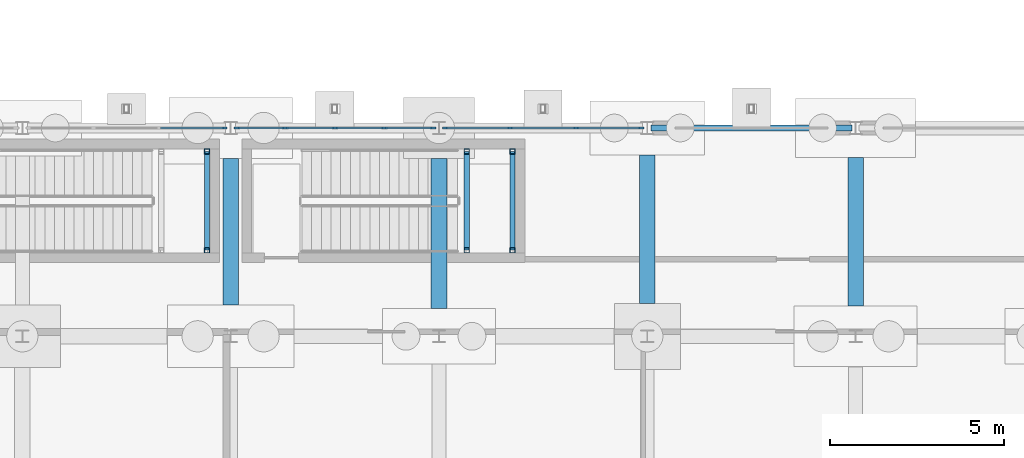
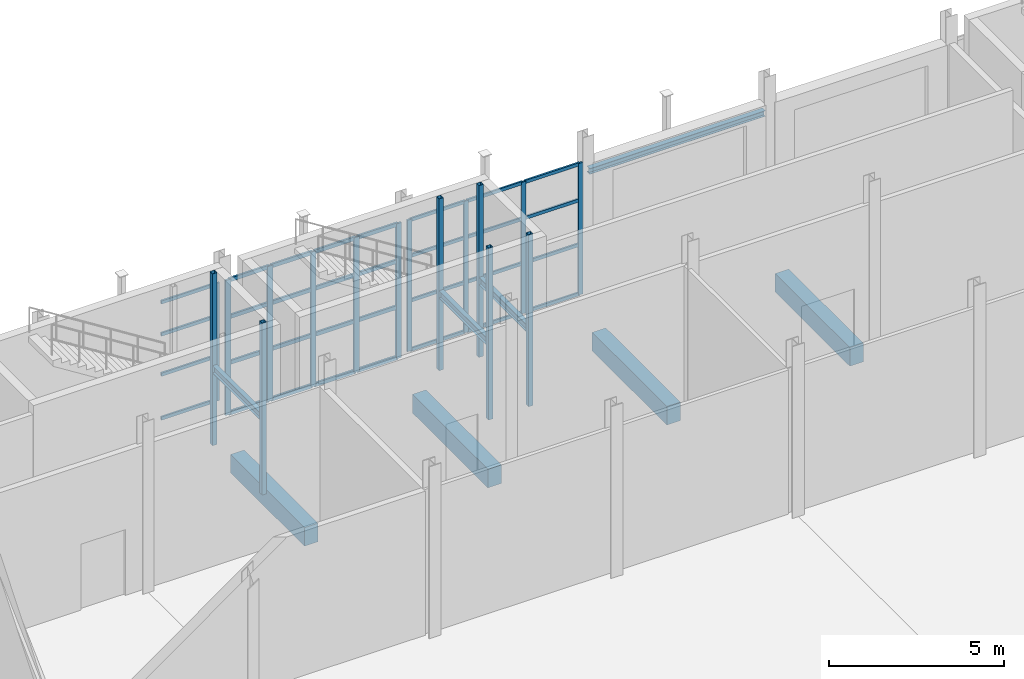
# One storey, part 47 of 120: 48 members, 8 beams, 3 elements without a shape of their own.
"""IFC4 building model written with IfcOpenShell, lengths in metres."""

from ifc_helpers import new_model, si_unit, direction, frame, origin, origin_2d, place, context, subcontext, project, spatial, rectangle, hollow_rectangle, i_section, extrude, material, material_profile, profile_set, type_object, element, aggregate, save


model = new_model("IFC4")

# Units and contexts
model_context = context("Model", 3, precision=1e-05, world=origin(), true_north=direction((0.0, 1.0)))
body_context = subcontext(model_context, "Body", "Model", "MODEL_VIEW")
ifc_project = project(units=[si_unit("LENGTHUNIT", "METRE"), si_unit("AREAUNIT", "SQUARE_METRE"), si_unit("VOLUMEUNIT", "CUBIC_METRE"), si_unit("PLANEANGLEUNIT", "RADIAN"), si_unit("MASSUNIT", "GRAM", prefix="KILO")], contexts=[model_context])

# Site, building, storey
site_placement = place(None, origin())
site = spatial("IfcSite", under=ifc_project, at=site_placement, CompositionType="ELEMENT")
building_placement = place(site_placement, origin())
building = spatial("IfcBuilding", under=site, at=building_placement, Name="Siltcreek Boulevard Central Fire Station", CompositionType="ELEMENT")
storey_placement = place(building_placement, origin())
storey = spatial("IfcBuildingStorey", under=building, at=storey_placement, Name="L01", CompositionType="ELEMENT", Elevation=0.0)

# Members
ifc_material_1 = material(Name="Structural steel ASTM A500 GrC", Category="steel")
ifc_material_profile_1 = material_profile(ifc_material_1, hollow_rectangle(XDim=0.14990234375, YDim=0.14990234375, WallThickness=0.008056640625, at=origin_2d()), Name="HSS150X150X8.0")
ifc_profile_set_1 = profile_set([ifc_material_profile_1], Name="Structural steel ASTM A500 GrC")
member_type_1 = type_object("IfcMemberType", Name="BR_HSS150_8", PredefinedType="BRACE", material=ifc_profile_set_1)
for number, where, z_axis, x_axis, name in (
    (1, (65.320068359375, 50.47998046875, 0.0), (0.0, 0.0, 1.0), (1.0, 0.0, 0.0), "L01 ST-V1B stair landing corner post SE"),
    (2, (65.320068359375, 53.320068359375, 0.0), (0.0, 0.0, 1.0), (1.0, 0.0, 0.0), "L01 ST-V1B stair landing corner post NE"),
    (3, (72.800048828125, 50.47998046875, 0.0), (0.0, 0.0, 1.0), (1.0, 0.0, 0.0), "L01 ST-V2C stair landing corner post SW"),
    (4, (72.800048828125, 53.320068359375, 0.0), (0.0, 0.0, 1.0), (1.0, 0.0, 0.0), "L01 ST-V2C stair landing corner post NW"),
    (5, (74.1201171875, 50.47998046875, 0.0), (0.0, 0.0, 1.0), (1.0, 0.0, 0.0), "L01 ST-V2C stair landing corner post SE"),
    (6, (74.1201171875, 53.320068359375, 0.0), (0.0, 0.0, 1.0), (1.0, 0.0, 0.0), "L01 ST-V2C stair landing corner post NE"),
):
    element("IfcMember", number, at=place(storey_placement, frame(where, z_axis=z_axis, x_axis=x_axis)), inside=storey, type_object=member_type_1, Name=name, PredefinedType="BRACE", context=body_context, shape_type="SweptSolid", body=[
        extrude(hollow_rectangle(XDim=0.14990234375, YDim=0.14990234375, WallThickness=0.008056640625, at=origin_2d()), origin(), (0.0, 0.0, 1.0), 6.0),
    ])

# Curtain wall, member
ifc_material_2 = material(Name="Anodized aluminum and low-E insulated glazing", Category="aluminium")
curtain_wall_type_1 = type_object("IfcCurtainWallType", Name="CW_SYS_06", PredefinedType="USERDEFINED", material=ifc_material_2)
curtain_wall_1_placement = place(storey_placement, origin())
curtain_wall_1 = element("IfcCurtainWall", 7, at=curtain_wall_1_placement, inside=storey, type_object=curtain_wall_type_1, Name="L01 V1 unitised curtain wall CW-005", ObjectType="CURTAIN WALL", PredefinedType="USERDEFINED")
ifc_material_3 = material(Name="Anodized 6063-T6 aluminum framing", Category="aluminium")
ifc_material_profile_2 = material_profile(ifc_material_3, rectangle(XDim=0.06005859375, YDim=0.14990234375, at=origin_2d()), Name="MULL60X150")
ifc_profile_set_2 = profile_set([ifc_material_profile_2], Name="Anodized 6063-T6 aluminum framing")
member_type_2 = type_object("IfcMemberType", Name="CWM_60X150", PredefinedType="MULLION", material=ifc_profile_set_2)
member_1_placement = place(storey_placement, frame((65.824951171875, 54.0, 0.919921875), z_axis=(0.0, 0.0, 1.0), x_axis=(0.0, -1.0, 0.0)))
member_1 = element("IfcMember", 8, at=member_1_placement, type_object=member_type_2, Name="CW-005 mullion 1", PredefinedType="MULLION", context=body_context, shape_type="SweptSolid", body=[
    extrude(rectangle(XDim=0.06005859375, YDim=0.14990234375, at=origin_2d()), origin(), (0.0, 0.0, 1.0), 4.114990234375),
])

# Curtain wall, members
curtain_wall_type_2 = type_object("IfcCurtainWallType", Name="CW_SYS_08", PredefinedType="USERDEFINED", material=ifc_material_2)
curtain_wall_2_placement = place(storey_placement, origin())
curtain_wall_2 = element("IfcCurtainWall", 9, at=curtain_wall_2_placement, inside=storey, type_object=curtain_wall_type_2, Name="L01 V1 unitised curtain wall CW-007", ObjectType="CURTAIN WALL", PredefinedType="USERDEFINED")
member_2_placement = place(storey_placement, frame((77.824951171875, 54.0, 0.43994140625), z_axis=(0.0, 0.0, 1.0), x_axis=(0.0, -1.0, 0.0)))
member_2 = element("IfcMember", 10, at=member_2_placement, type_object=member_type_2, Name="CW-007 mullion 1", PredefinedType="MULLION", context=body_context, shape_type="SweptSolid", body=[
    extrude(rectangle(XDim=0.06005859375, YDim=0.14990234375, at=origin_2d()), origin(), (0.0, 0.0, 1.0), 4.594970703125),
])
member_3_placement = place(storey_placement, frame((75.95166015625, 54.0, 0.43994140625), z_axis=(0.0, 0.0, 1.0), x_axis=(0.0, -1.0, 0.0)))
member_3 = element("IfcMember", 11, at=member_3_placement, type_object=member_type_2, Name="CW-007 mullion 2", PredefinedType="MULLION", context=body_context, shape_type="SweptSolid", body=[
    extrude(rectangle(XDim=0.06005859375, YDim=0.14990234375, at=origin_2d()), origin(), (0.0, 0.0, 1.0), 4.594970703125),
])
member_4_placement = place(storey_placement, frame((74.04833984375, 54.0, 0.43994140625), z_axis=(0.0, 0.0, 1.0), x_axis=(0.0, -1.0, 0.0)))
member_4 = element("IfcMember", 12, at=member_4_placement, type_object=member_type_2, Name="CW-007 mullion 3", PredefinedType="MULLION", context=body_context, shape_type="SweptSolid", body=[
    extrude(rectangle(XDim=0.06005859375, YDim=0.14990234375, at=origin_2d()), origin(), (0.0, 0.0, 1.0), 4.594970703125),
])
member_5_placement = place(storey_placement, frame((72.175048828125, 54.0, 0.43994140625), z_axis=(0.0, 0.0, 1.0), x_axis=(0.0, -1.0, 0.0)))
member_5 = element("IfcMember", 13, at=member_5_placement, type_object=member_type_2, Name="CW-007 mullion 4", PredefinedType="MULLION", context=body_context, shape_type="SweptSolid", body=[
    extrude(rectangle(XDim=0.06005859375, YDim=0.14990234375, at=origin_2d()), origin(), (0.0, 0.0, 1.0), 4.594970703125),
])

curtain_wall_type_3 = type_object("IfcCurtainWallType", Name="CW_SYS_07", PredefinedType="USERDEFINED", material=ifc_material_2)
curtain_wall_3_placement = place(storey_placement, origin())
curtain_wall_3 = element("IfcCurtainWall", 14, at=curtain_wall_3_placement, inside=storey, type_object=curtain_wall_type_3, Name="L01 V1 unitised curtain wall CW-006", ObjectType="CURTAIN WALL", PredefinedType="USERDEFINED")
ifc_material_profile_3 = material_profile(ifc_material_3, rectangle(XDim=0.06494140625, YDim=0.175048828125, at=origin_2d()), Name="MULL65X175")
ifc_profile_set_3 = profile_set([ifc_material_profile_3], Name="Anodized 6063-T6 aluminum framing")
member_type_3 = type_object("IfcMemberType", Name="CWM_65X175", PredefinedType="MULLION", material=ifc_profile_set_3)
member_6_placement = place(storey_placement, frame((71.822509765625, 54.0, 0.320068359375), z_axis=(0.0, 0.0, 1.0), x_axis=(0.0, -1.0, 0.0)))
member_6 = element("IfcMember", 15, at=member_6_placement, type_object=member_type_3, Name="CW-006 mullion 1", PredefinedType="MULLION", context=body_context, shape_type="SweptSolid", body=[
    extrude(rectangle(XDim=0.06494140625, YDim=0.175048828125, at=origin_2d()), origin(), (0.0, 0.0, 1.0), 4.71484375),
])
member_7_placement = place(storey_placement, frame((70.427490234375, 54.0, 0.320068359375), z_axis=(0.0, 0.0, 1.0), x_axis=(0.0, -1.0, 0.0)))
member_7 = element("IfcMember", 16, at=member_7_placement, type_object=member_type_3, Name="CW-006 mullion 2", PredefinedType="MULLION", context=body_context, shape_type="SweptSolid", body=[
    extrude(rectangle(XDim=0.06494140625, YDim=0.175048828125, at=origin_2d()), origin(), (0.0, 0.0, 1.0), 4.71484375),
])
member_8_placement = place(storey_placement, frame((69.0, 54.0, 0.320068359375), z_axis=(0.0, 0.0, 1.0), x_axis=(0.0, -1.0, 0.0)))
member_8 = element("IfcMember", 17, at=member_8_placement, type_object=member_type_3, Name="CW-006 mullion 3", PredefinedType="MULLION", context=body_context, shape_type="SweptSolid", body=[
    extrude(rectangle(XDim=0.06494140625, YDim=0.175048828125, at=origin_2d()), origin(), (0.0, 0.0, 1.0), 4.71484375),
])
member_9_placement = place(storey_placement, frame((67.572509765625, 54.0, 0.320068359375), z_axis=(0.0, 0.0, 1.0), x_axis=(0.0, -1.0, 0.0)))
member_9 = element("IfcMember", 18, at=member_9_placement, type_object=member_type_3, Name="CW-006 mullion 4", PredefinedType="MULLION", context=body_context, shape_type="SweptSolid", body=[
    extrude(rectangle(XDim=0.06494140625, YDim=0.175048828125, at=origin_2d()), origin(), (0.0, 0.0, 1.0), 4.71484375),
])
member_10_placement = place(storey_placement, frame((66.177490234375, 54.0, 0.320068359375), z_axis=(0.0, 0.0, 1.0), x_axis=(0.0, -1.0, 0.0)))
member_10 = element("IfcMember", 19, at=member_10_placement, type_object=member_type_3, Name="CW-006 mullion 5", PredefinedType="MULLION", context=body_context, shape_type="SweptSolid", body=[
    extrude(rectangle(XDim=0.06494140625, YDim=0.175048828125, at=origin_2d()), origin(), (0.0, 0.0, 1.0), 4.71484375),
])

# Member
ifc_material_profile_4 = material_profile(ifc_material_3, rectangle(XDim=0.06005859375, YDim=0.114990234375, at=origin_2d()), Name="TRAN60X115")
ifc_profile_set_4 = profile_set([ifc_material_profile_4], Name="Anodized 6063-T6 aluminum framing")
member_type_4 = type_object("IfcMemberType", Name="CWT_60X115", PredefinedType="USERDEFINED", material=ifc_profile_set_4)
member_11_placement = place(storey_placement, frame((65.794921875, 54.0, 0.949951171875), z_axis=(-1.0, 0.0, 0.0), x_axis=(0.0, -1.0, 0.0)))
member_11 = element("IfcMember", 20, at=member_11_placement, type_object=member_type_4, Name="CW-005 transom 1.1", ObjectType="TRANSOM", PredefinedType="USERDEFINED", context=body_context, shape_type="SweptSolid", body=[
    extrude(rectangle(XDim=0.06005859375, YDim=0.114990234375, at=origin_2d()), origin(), (0.0, 0.0, 1.0), 1.813232421875),
])

member_12_placement = place(storey_placement, frame((65.794921875, 54.0, 2.483642578125), z_axis=(-1.0, 0.0, 0.0), x_axis=(0.0, -1.0, 0.0)))
member_12 = element("IfcMember", 21, at=member_12_placement, type_object=member_type_4, Name="CW-005 transom 1.2", ObjectType="TRANSOM", PredefinedType="USERDEFINED", context=body_context, shape_type="SweptSolid", body=[
    extrude(rectangle(XDim=0.06005859375, YDim=0.114990234375, at=origin_2d()), origin(), (0.0, 0.0, 1.0), 1.813232421875),
])

member_13_placement = place(storey_placement, frame((65.794921875, 54.0, 3.8828125), z_axis=(-1.0, 0.0, 0.0), x_axis=(0.0, -1.0, 0.0)))
member_13 = element("IfcMember", 22, at=member_13_placement, type_object=member_type_4, Name="CW-005 transom 1.3", ObjectType="TRANSOM", PredefinedType="USERDEFINED", context=body_context, shape_type="SweptSolid", body=[
    extrude(rectangle(XDim=0.06005859375, YDim=0.114990234375, at=origin_2d()), origin(), (0.0, 0.0, 1.0), 1.813232421875),
])

member_14_placement = place(storey_placement, frame((65.794921875, 54.0, 5.0048828125), z_axis=(-1.0, 0.0, 0.0), x_axis=(0.0, -1.0, 0.0)))
member_14 = element("IfcMember", 23, at=member_14_placement, type_object=member_type_4, Name="CW-005 transom 1.4", ObjectType="TRANSOM", PredefinedType="USERDEFINED", context=body_context, shape_type="SweptSolid", body=[
    extrude(rectangle(XDim=0.06005859375, YDim=0.114990234375, at=origin_2d()), origin(), (0.0, 0.0, 1.0), 1.813232421875),
])

aggregate(curtain_wall_1, [member_1, member_11, member_12, member_13, member_14])

member_15_placement = place(storey_placement, frame((77.794921875, 54.0, 0.469970703125), z_axis=(-1.0, 0.0, 0.0), x_axis=(0.0, -1.0, 0.0)))
member_15 = element("IfcMember", 24, at=member_15_placement, type_object=member_type_4, Name="CW-007 transom 1.1", ObjectType="TRANSOM", PredefinedType="USERDEFINED", context=body_context, shape_type="SweptSolid", body=[
    extrude(rectangle(XDim=0.06005859375, YDim=0.114990234375, at=origin_2d()), origin(), (0.0, 0.0, 1.0), 1.813232421875),
])

member_16_placement = place(storey_placement, frame((77.794921875, 54.0, 2.18603515625), z_axis=(-1.0, 0.0, 0.0), x_axis=(0.0, -1.0, 0.0)))
member_16 = element("IfcMember", 25, at=member_16_placement, type_object=member_type_4, Name="CW-007 transom 1.2", ObjectType="TRANSOM", PredefinedType="USERDEFINED", context=body_context, shape_type="SweptSolid", body=[
    extrude(rectangle(XDim=0.06005859375, YDim=0.114990234375, at=origin_2d()), origin(), (0.0, 0.0, 1.0), 1.813232421875),
])

member_17_placement = place(storey_placement, frame((77.794921875, 54.0, 3.748291015625), z_axis=(-1.0, 0.0, 0.0), x_axis=(0.0, -1.0, 0.0)))
member_17 = element("IfcMember", 26, at=member_17_placement, type_object=member_type_4, Name="CW-007 transom 1.3", ObjectType="TRANSOM", PredefinedType="USERDEFINED", context=body_context, shape_type="SweptSolid", body=[
    extrude(rectangle(XDim=0.06005859375, YDim=0.114990234375, at=origin_2d()), origin(), (0.0, 0.0, 1.0), 1.813232421875),
])

member_18_placement = place(storey_placement, frame((77.794921875, 54.0, 5.0048828125), z_axis=(-1.0, 0.0, 0.0), x_axis=(0.0, -1.0, 0.0)))
member_18 = element("IfcMember", 27, at=member_18_placement, type_object=member_type_4, Name="CW-007 transom 1.4", ObjectType="TRANSOM", PredefinedType="USERDEFINED", context=body_context, shape_type="SweptSolid", body=[
    extrude(rectangle(XDim=0.06005859375, YDim=0.114990234375, at=origin_2d()), origin(), (0.0, 0.0, 1.0), 1.813232421875),
])

member_19_placement = place(storey_placement, frame((75.921630859375, 54.0, 0.469970703125), z_axis=(-1.0, 0.0, 0.0), x_axis=(0.0, -1.0, 0.0)))
member_19 = element("IfcMember", 28, at=member_19_placement, type_object=member_type_4, Name="CW-007 transom 2.1", ObjectType="TRANSOM", PredefinedType="USERDEFINED", context=body_context, shape_type="SweptSolid", body=[
    extrude(rectangle(XDim=0.06005859375, YDim=0.114990234375, at=origin_2d()), origin(), (0.0, 0.0, 1.0), 1.84326171875),
])

member_20_placement = place(storey_placement, frame((75.921630859375, 54.0, 2.18603515625), z_axis=(-1.0, 0.0, 0.0), x_axis=(0.0, -1.0, 0.0)))
member_20 = element("IfcMember", 29, at=member_20_placement, type_object=member_type_4, Name="CW-007 transom 2.2", ObjectType="TRANSOM", PredefinedType="USERDEFINED", context=body_context, shape_type="SweptSolid", body=[
    extrude(rectangle(XDim=0.06005859375, YDim=0.114990234375, at=origin_2d()), origin(), (0.0, 0.0, 1.0), 1.84326171875),
])

member_21_placement = place(storey_placement, frame((75.921630859375, 54.0, 3.748291015625), z_axis=(-1.0, 0.0, 0.0), x_axis=(0.0, -1.0, 0.0)))
member_21 = element("IfcMember", 30, at=member_21_placement, type_object=member_type_4, Name="CW-007 transom 2.3", ObjectType="TRANSOM", PredefinedType="USERDEFINED", context=body_context, shape_type="SweptSolid", body=[
    extrude(rectangle(XDim=0.06005859375, YDim=0.114990234375, at=origin_2d()), origin(), (0.0, 0.0, 1.0), 1.84326171875),
])

member_22_placement = place(storey_placement, frame((75.921630859375, 54.0, 5.0048828125), z_axis=(-1.0, 0.0, 0.0), x_axis=(0.0, -1.0, 0.0)))
member_22 = element("IfcMember", 31, at=member_22_placement, type_object=member_type_4, Name="CW-007 transom 2.4", ObjectType="TRANSOM", PredefinedType="USERDEFINED", context=body_context, shape_type="SweptSolid", body=[
    extrude(rectangle(XDim=0.06005859375, YDim=0.114990234375, at=origin_2d()), origin(), (0.0, 0.0, 1.0), 1.84326171875),
])

member_23_placement = place(storey_placement, frame((74.018310546875, 54.0, 0.469970703125), z_axis=(-1.0, 0.0, 0.0), x_axis=(0.0, -1.0, 0.0)))
member_23 = element("IfcMember", 32, at=member_23_placement, type_object=member_type_4, Name="CW-007 transom 3.1", ObjectType="TRANSOM", PredefinedType="USERDEFINED", context=body_context, shape_type="SweptSolid", body=[
    extrude(rectangle(XDim=0.06005859375, YDim=0.114990234375, at=origin_2d()), origin(), (0.0, 0.0, 1.0), 1.813232421875),
])

member_24_placement = place(storey_placement, frame((74.018310546875, 54.0, 2.18603515625), z_axis=(-1.0, 0.0, 0.0), x_axis=(0.0, -1.0, 0.0)))
member_24 = element("IfcMember", 33, at=member_24_placement, type_object=member_type_4, Name="CW-007 transom 3.2", ObjectType="TRANSOM", PredefinedType="USERDEFINED", context=body_context, shape_type="SweptSolid", body=[
    extrude(rectangle(XDim=0.06005859375, YDim=0.114990234375, at=origin_2d()), origin(), (0.0, 0.0, 1.0), 1.813232421875),
])

member_25_placement = place(storey_placement, frame((74.018310546875, 54.0, 3.748291015625), z_axis=(-1.0, 0.0, 0.0), x_axis=(0.0, -1.0, 0.0)))
member_25 = element("IfcMember", 34, at=member_25_placement, type_object=member_type_4, Name="CW-007 transom 3.3", ObjectType="TRANSOM", PredefinedType="USERDEFINED", context=body_context, shape_type="SweptSolid", body=[
    extrude(rectangle(XDim=0.06005859375, YDim=0.114990234375, at=origin_2d()), origin(), (0.0, 0.0, 1.0), 1.813232421875),
])

member_26_placement = place(storey_placement, frame((74.018310546875, 54.0, 5.0048828125), z_axis=(-1.0, 0.0, 0.0), x_axis=(0.0, -1.0, 0.0)))
member_26 = element("IfcMember", 35, at=member_26_placement, type_object=member_type_4, Name="CW-007 transom 3.4", ObjectType="TRANSOM", PredefinedType="USERDEFINED", context=body_context, shape_type="SweptSolid", body=[
    extrude(rectangle(XDim=0.06005859375, YDim=0.114990234375, at=origin_2d()), origin(), (0.0, 0.0, 1.0), 1.813232421875),
])

aggregate(curtain_wall_2, [member_2, member_3, member_4, member_5, member_15, member_16, member_17, member_18, member_19, member_20, member_21, member_22, member_23, member_24, member_25, member_26])

ifc_material_profile_5 = material_profile(ifc_material_3, rectangle(XDim=0.06494140625, YDim=0.135009765625, at=origin_2d()), Name="TRAN65X135")
ifc_profile_set_5 = profile_set([ifc_material_profile_5], Name="Anodized 6063-T6 aluminum framing")
member_type_5 = type_object("IfcMemberType", Name="CWT_65X135", PredefinedType="USERDEFINED", material=ifc_profile_set_5)
member_27_placement = place(storey_placement, frame((71.7900390625, 54.0, 0.3525390625), z_axis=(-1.0, 0.0, 0.0), x_axis=(0.0, -1.0, 0.0)))
member_27 = element("IfcMember", 36, at=member_27_placement, type_object=member_type_5, Name="CW-006 transom 1.1", ObjectType="TRANSOM", PredefinedType="USERDEFINED", context=body_context, shape_type="SweptSolid", body=[
    extrude(rectangle(XDim=0.06494140625, YDim=0.135009765625, at=origin_2d()), origin(), (0.0, 0.0, 1.0), 1.330078125),
])

member_28_placement = place(storey_placement, frame((71.7900390625, 54.0, 2.11181640625), z_axis=(-1.0, 0.0, 0.0), x_axis=(0.0, -1.0, 0.0)))
member_28 = element("IfcMember", 37, at=member_28_placement, type_object=member_type_5, Name="CW-006 transom 1.2", ObjectType="TRANSOM", PredefinedType="USERDEFINED", context=body_context, shape_type="SweptSolid", body=[
    extrude(rectangle(XDim=0.06494140625, YDim=0.135009765625, at=origin_2d()), origin(), (0.0, 0.0, 1.0), 1.330078125),
])

member_29_placement = place(storey_placement, frame((71.7900390625, 54.0, 3.71484375), z_axis=(-1.0, 0.0, 0.0), x_axis=(0.0, -1.0, 0.0)))
member_29 = element("IfcMember", 38, at=member_29_placement, type_object=member_type_5, Name="CW-006 transom 1.3", ObjectType="TRANSOM", PredefinedType="USERDEFINED", context=body_context, shape_type="SweptSolid", body=[
    extrude(rectangle(XDim=0.06494140625, YDim=0.135009765625, at=origin_2d()), origin(), (0.0, 0.0, 1.0), 1.330078125),
])

member_30_placement = place(storey_placement, frame((71.7900390625, 54.0, 5.00244140625), z_axis=(-1.0, 0.0, 0.0), x_axis=(0.0, -1.0, 0.0)))
member_30 = element("IfcMember", 39, at=member_30_placement, type_object=member_type_5, Name="CW-006 transom 1.4", ObjectType="TRANSOM", PredefinedType="USERDEFINED", context=body_context, shape_type="SweptSolid", body=[
    extrude(rectangle(XDim=0.06494140625, YDim=0.135009765625, at=origin_2d()), origin(), (0.0, 0.0, 1.0), 1.330078125),
])

member_31_placement = place(storey_placement, frame((70.39501953125, 54.0, 0.3525390625), z_axis=(-1.0, 0.0, 0.0), x_axis=(0.0, -1.0, 0.0)))
member_31 = element("IfcMember", 40, at=member_31_placement, type_object=member_type_5, Name="CW-006 transom 2.1", ObjectType="TRANSOM", PredefinedType="USERDEFINED", context=body_context, shape_type="SweptSolid", body=[
    extrude(rectangle(XDim=0.06494140625, YDim=0.135009765625, at=origin_2d()), origin(), (0.0, 0.0, 1.0), 1.362548828125),
])

member_32_placement = place(storey_placement, frame((70.39501953125, 54.0, 2.11181640625), z_axis=(-1.0, 0.0, 0.0), x_axis=(0.0, -1.0, 0.0)))
member_32 = element("IfcMember", 41, at=member_32_placement, type_object=member_type_5, Name="CW-006 transom 2.2", ObjectType="TRANSOM", PredefinedType="USERDEFINED", context=body_context, shape_type="SweptSolid", body=[
    extrude(rectangle(XDim=0.06494140625, YDim=0.135009765625, at=origin_2d()), origin(), (0.0, 0.0, 1.0), 1.362548828125),
])

member_33_placement = place(storey_placement, frame((70.39501953125, 54.0, 3.71484375), z_axis=(-1.0, 0.0, 0.0), x_axis=(0.0, -1.0, 0.0)))
member_33 = element("IfcMember", 42, at=member_33_placement, type_object=member_type_5, Name="CW-006 transom 2.3", ObjectType="TRANSOM", PredefinedType="USERDEFINED", context=body_context, shape_type="SweptSolid", body=[
    extrude(rectangle(XDim=0.06494140625, YDim=0.135009765625, at=origin_2d()), origin(), (0.0, 0.0, 1.0), 1.362548828125),
])

member_34_placement = place(storey_placement, frame((70.39501953125, 54.0, 5.00244140625), z_axis=(-1.0, 0.0, 0.0), x_axis=(0.0, -1.0, 0.0)))
member_34 = element("IfcMember", 43, at=member_34_placement, type_object=member_type_5, Name="CW-006 transom 2.4", ObjectType="TRANSOM", PredefinedType="USERDEFINED", context=body_context, shape_type="SweptSolid", body=[
    extrude(rectangle(XDim=0.06494140625, YDim=0.135009765625, at=origin_2d()), origin(), (0.0, 0.0, 1.0), 1.362548828125),
])

member_35_placement = place(storey_placement, frame((68.967529296875, 54.0, 0.3525390625), z_axis=(-1.0, 0.0, 0.0), x_axis=(0.0, -1.0, 0.0)))
member_35 = element("IfcMember", 44, at=member_35_placement, type_object=member_type_5, Name="CW-006 transom 3.1", ObjectType="TRANSOM", PredefinedType="USERDEFINED", context=body_context, shape_type="SweptSolid", body=[
    extrude(rectangle(XDim=0.06494140625, YDim=0.135009765625, at=origin_2d()), origin(), (0.0, 0.0, 1.0), 1.362548828125),
])

member_36_placement = place(storey_placement, frame((68.967529296875, 54.0, 2.11181640625), z_axis=(-1.0, 0.0, 0.0), x_axis=(0.0, -1.0, 0.0)))
member_36 = element("IfcMember", 45, at=member_36_placement, type_object=member_type_5, Name="CW-006 transom 3.2", ObjectType="TRANSOM", PredefinedType="USERDEFINED", context=body_context, shape_type="SweptSolid", body=[
    extrude(rectangle(XDim=0.06494140625, YDim=0.135009765625, at=origin_2d()), origin(), (0.0, 0.0, 1.0), 1.362548828125),
])

member_37_placement = place(storey_placement, frame((68.967529296875, 54.0, 3.71484375), z_axis=(-1.0, 0.0, 0.0), x_axis=(0.0, -1.0, 0.0)))
member_37 = element("IfcMember", 46, at=member_37_placement, type_object=member_type_5, Name="CW-006 transom 3.3", ObjectType="TRANSOM", PredefinedType="USERDEFINED", context=body_context, shape_type="SweptSolid", body=[
    extrude(rectangle(XDim=0.06494140625, YDim=0.135009765625, at=origin_2d()), origin(), (0.0, 0.0, 1.0), 1.362548828125),
])

member_38_placement = place(storey_placement, frame((68.967529296875, 54.0, 5.00244140625), z_axis=(-1.0, 0.0, 0.0), x_axis=(0.0, -1.0, 0.0)))
member_38 = element("IfcMember", 47, at=member_38_placement, type_object=member_type_5, Name="CW-006 transom 3.4", ObjectType="TRANSOM", PredefinedType="USERDEFINED", context=body_context, shape_type="SweptSolid", body=[
    extrude(rectangle(XDim=0.06494140625, YDim=0.135009765625, at=origin_2d()), origin(), (0.0, 0.0, 1.0), 1.362548828125),
])

member_39_placement = place(storey_placement, frame((67.5400390625, 54.0, 0.3525390625), z_axis=(-1.0, 0.0, 0.0), x_axis=(0.0, -1.0, 0.0)))
member_39 = element("IfcMember", 48, at=member_39_placement, type_object=member_type_5, Name="CW-006 transom 4.1", ObjectType="TRANSOM", PredefinedType="USERDEFINED", context=body_context, shape_type="SweptSolid", body=[
    extrude(rectangle(XDim=0.06494140625, YDim=0.135009765625, at=origin_2d()), origin(), (0.0, 0.0, 1.0), 1.330078125),
])

member_40_placement = place(storey_placement, frame((67.5400390625, 54.0, 2.11181640625), z_axis=(-1.0, 0.0, 0.0), x_axis=(0.0, -1.0, 0.0)))
member_40 = element("IfcMember", 49, at=member_40_placement, type_object=member_type_5, Name="CW-006 transom 4.2", ObjectType="TRANSOM", PredefinedType="USERDEFINED", context=body_context, shape_type="SweptSolid", body=[
    extrude(rectangle(XDim=0.06494140625, YDim=0.135009765625, at=origin_2d()), origin(), (0.0, 0.0, 1.0), 1.330078125),
])

member_41_placement = place(storey_placement, frame((67.5400390625, 54.0, 3.71484375), z_axis=(-1.0, 0.0, 0.0), x_axis=(0.0, -1.0, 0.0)))
member_41 = element("IfcMember", 50, at=member_41_placement, type_object=member_type_5, Name="CW-006 transom 4.3", ObjectType="TRANSOM", PredefinedType="USERDEFINED", context=body_context, shape_type="SweptSolid", body=[
    extrude(rectangle(XDim=0.06494140625, YDim=0.135009765625, at=origin_2d()), origin(), (0.0, 0.0, 1.0), 1.330078125),
])

member_42_placement = place(storey_placement, frame((67.5400390625, 54.0, 5.00244140625), z_axis=(-1.0, 0.0, 0.0), x_axis=(0.0, -1.0, 0.0)))
member_42 = element("IfcMember", 51, at=member_42_placement, type_object=member_type_5, Name="CW-006 transom 4.4", ObjectType="TRANSOM", PredefinedType="USERDEFINED", context=body_context, shape_type="SweptSolid", body=[
    extrude(rectangle(XDim=0.06494140625, YDim=0.135009765625, at=origin_2d()), origin(), (0.0, 0.0, 1.0), 1.330078125),
])

aggregate(curtain_wall_3, [member_6, member_7, member_8, member_9, member_10, member_27, member_28, member_29, member_30, member_31, member_32, member_33, member_34, member_35, member_36, member_37, member_38, member_39, member_40, member_41, member_42])

# Beams
ifc_material_4 = material(Name="Concrete C35/45", Category="concrete")
ifc_material_profile_6 = material_profile(ifc_material_4, rectangle(XDim=0.449951171875, YDim=0.64990234375, at=origin_2d()), Name="RC450X650")
ifc_profile_set_6 = profile_set([ifc_material_profile_6], Name="Concrete C35/45")
beam_type_1 = type_object("IfcBeamType", Name="GB_RC450X650", PredefinedType="USERDEFINED", material=ifc_profile_set_6)
beam_1_placement = place(storey_placement, frame((66.0, 48.902099609375, -0.735107421875), z_axis=(0.0, 1.0, 0.0), x_axis=(-1.0, 0.0, 0.0)))
element("IfcBeam", 52, at=beam_1_placement, inside=storey, type_object=beam_type_1, Name="Reinforced concrete tie grade beam GB-178", ObjectType="GRADE BEAM", PredefinedType="USERDEFINED", context=body_context, shape_type="SweptSolid", body=[
    extrude(rectangle(XDim=0.449951171875, YDim=0.64990234375, at=origin_2d()), origin(), (0.0, 0.0, 1.0), 4.220947265625),
])
beam_2_placement = place(storey_placement, frame((72.0, 48.802001953125, -0.735107421875), z_axis=(0.0, 1.0, 0.0), x_axis=(-1.0, 0.0, 0.0)))
element("IfcBeam", 53, at=beam_2_placement, inside=storey, type_object=beam_type_1, Name="Reinforced concrete tie grade beam GB-180", ObjectType="GRADE BEAM", PredefinedType="USERDEFINED", context=body_context, shape_type="SweptSolid", body=[
    extrude(rectangle(XDim=0.449951171875, YDim=0.64990234375, at=origin_2d()), origin(), (0.0, 0.0, 1.0), 4.321044921875),
])
for number, where, z_axis, x_axis, name in (
    (54, (78.0, 48.951904296875, -0.735107421875), (0.0, 1.0, 0.0), (-1.0, 0.0, 0.0), "Reinforced concrete tie grade beam GB-182"),
    (55, (84.0, 48.876953125, -0.735107421875), (0.0, 1.0, 0.0), (-1.0, 0.0, 0.0), "Reinforced concrete tie grade beam GB-184"),
):
    element("IfcBeam", number, at=place(storey_placement, frame(where, z_axis=z_axis, x_axis=x_axis)), inside=storey, type_object=beam_type_1, Name=name, ObjectType="GRADE BEAM", PredefinedType="USERDEFINED", context=body_context, shape_type="SweptSolid", body=[
        extrude(rectangle(XDim=0.449951171875, YDim=0.64990234375, at=origin_2d()), origin(), (0.0, 0.0, 1.0), 4.27099609375),
    ])
ifc_material_5 = material(Name="Structural steel ASTM A992 Gr50", Category="steel")
ifc_material_profile_7 = material_profile(ifc_material_5, i_section(OverallWidth=0.14697265625, OverallDepth=0.261962890625, WebThickness=0.006591796875, FlangeThickness=0.01123046875, at=origin_2d()), Name="W250X39")
ifc_profile_set_7 = profile_set([ifc_material_profile_7], Name="Structural steel ASTM A992 Gr50")
beam_type_2 = type_object("IfcBeamType", Name="JST_W250X39", PredefinedType="JOIST", material=ifc_profile_set_7)
for number, where, z_axis, x_axis, name in (
    (56, (65.320068359375, 50.47998046875, 2.6689453125), (0.0, 1.0, 0.0), (-1.0, 0.0, 0.0), "L01 ST-V1B stair landing bearer MIDE"),
    (57, (72.800048828125, 50.47998046875, 2.6689453125), (0.0, 1.0, 0.0), (-1.0, 0.0, 0.0), "L01 ST-V2C stair landing bearer MIDW"),
    (58, (74.1201171875, 50.47998046875, 2.6689453125), (0.0, 1.0, 0.0), (-1.0, 0.0, 0.0), "L01 ST-V2C stair landing bearer MIDE"),
):
    element("IfcBeam", number, at=place(storey_placement, frame(where, z_axis=z_axis, x_axis=x_axis)), inside=storey, type_object=beam_type_2, Name=name, PredefinedType="JOIST", context=body_context, shape_type="SweptSolid", body=[
        extrude(i_section(OverallWidth=0.14697265625, OverallDepth=0.261962890625, WebThickness=0.006591796875, FlangeThickness=0.01123046875, at=origin_2d()), origin(), (0.0, 0.0, 1.0), 2.840087890625),
    ])
ifc_material_profile_8 = material_profile(ifc_material_5, i_section(OverallWidth=0.1650390625, OverallDepth=0.200927734375, WebThickness=0.006103515625, FlangeThickness=0.01025390625, at=origin_2d()), Name="W200X36")
ifc_profile_set_8 = profile_set([ifc_material_profile_8], Name="Structural steel ASTM A992 Gr50")
beam_type_3 = type_object("IfcBeamType", Name="LIN_W200X36", PredefinedType="LINTEL", material=ifc_profile_set_8)
beam_3_placement = place(storey_placement, frame((83.89990234375, 54.0, 4.669921875), z_axis=(-1.0, 0.0, 0.0), x_axis=(0.0, -1.0, 0.0)))
element("IfcBeam", 59, at=beam_3_placement, inside=storey, type_object=beam_type_3, Name="Apparatus bay header lintel beam LN-008", PredefinedType="LINTEL", context=body_context, shape_type="SweptSolid", body=[
    extrude(i_section(OverallWidth=0.1650390625, OverallDepth=0.200927734375, WebThickness=0.006103515625, FlangeThickness=0.01025390625, at=origin_2d()), origin(), (0.0, 0.0, 1.0), 5.7998046875),
])

save(model, "model.ifc")
